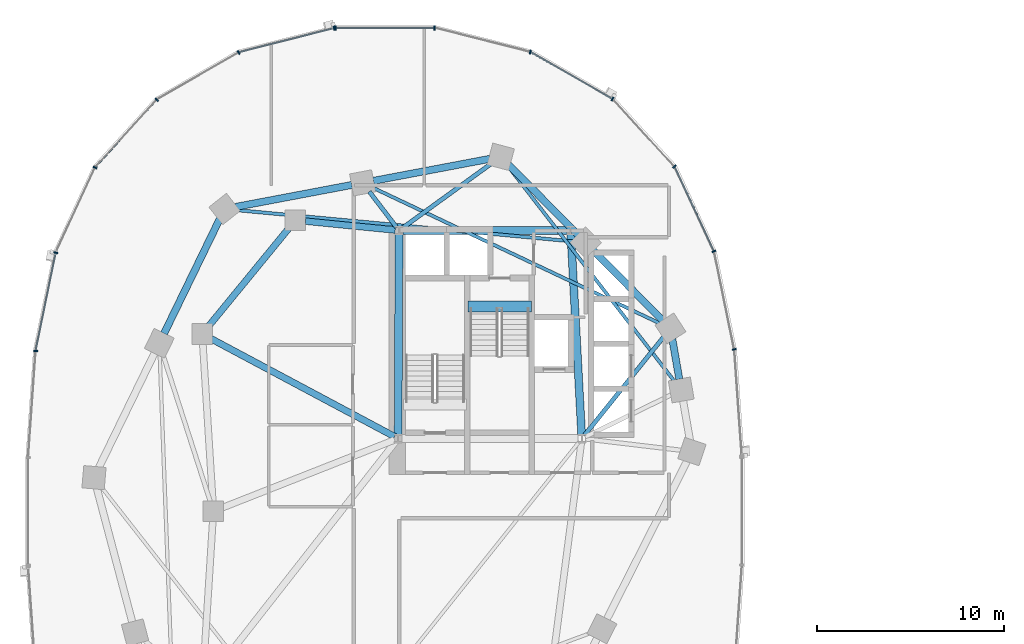
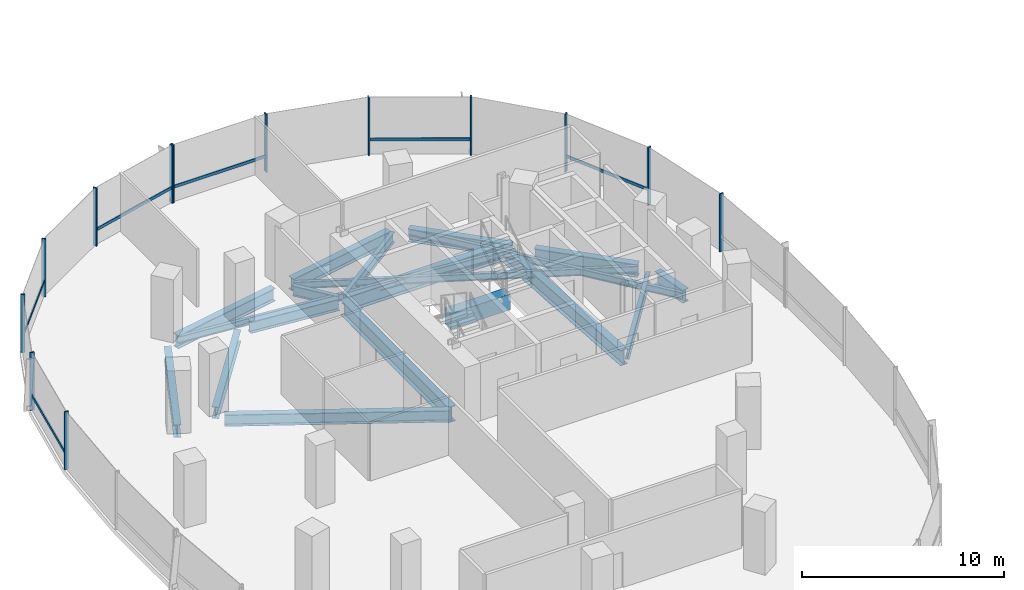
# One storey, part 4 of 21: 19 beams, 19 members, 2 elements without a shape of their own.
"""IFC4 building model written with IfcOpenShell, lengths in metres."""

from ifc_helpers import new_model, si_unit, direction, frame, origin, origin_2d, place, context, subcontext, project, spatial, rectangle, i_section, extrude, material, material_profile, profile_set, type_object, element, aggregate, save


model = new_model("IFC4")

# Units and contexts
model_context = context("Model", 3, precision=1e-05, world=origin(), true_north=direction((0.0, 1.0)))
body_context = subcontext(model_context, "Body", "Model", "MODEL_VIEW")
ifc_project = project(units=[si_unit("LENGTHUNIT", "METRE"), si_unit("AREAUNIT", "SQUARE_METRE"), si_unit("VOLUMEUNIT", "CUBIC_METRE"), si_unit("PLANEANGLEUNIT", "RADIAN"), si_unit("MASSUNIT", "GRAM", prefix="KILO"), si_unit("THERMODYNAMICTEMPERATUREUNIT", "KELVIN"), si_unit("POWERUNIT", "WATT")], contexts=[model_context])

# Site, building, storey
site_placement = place(None, origin())
site = spatial("IfcSite", under=ifc_project, at=site_placement, CompositionType="ELEMENT")
building_placement = place(site_placement, origin())
building = spatial("IfcBuilding", under=site, at=building_placement, Name="Cundina Bronze Exchange", CompositionType="ELEMENT")
storey_placement = place(building_placement, frame((0.0, 0.0, 69.60009765625)))
storey = spatial("IfcBuildingStorey", under=building, at=storey_placement, Name="L17", CompositionType="ELEMENT", Elevation=69.60009765625)

# Beams
ifc_material_1 = material(Name="Concrete C60/75", Category="concrete")
ifc_material_profile_1 = material_profile(ifc_material_1, rectangle(XDim=0.60009765625, YDim=0.949951171875, at=origin_2d()), Name="RC600X950", Category="concrete")
ifc_profile_set_1 = profile_set([ifc_material_profile_1], Name="Concrete C60/75")
beam_type_1 = type_object("IfcBeamType", Name="BM-COUP-RC950", PredefinedType="LINTEL", material=ifc_profile_set_1)
beam_1_placement = place(storey_placement, frame((-27.56005859375, 10.97998046875, -0.47509765625), z_axis=(1.0, 0.0, 0.0), x_axis=(0.0, 1.0, 0.0)))
element("IfcBeam", 1, at=beam_1_placement, inside=storey, type_object=beam_type_1, Name="L17 Stair W2 Landing Header Beam", PredefinedType="LINTEL", context=body_context, shape_type="SweptSolid", body=[
    extrude(rectangle(XDim=0.60009765625, YDim=0.949951171875, at=origin_2d()), origin(), (0.0, 0.0, 1.0), 3.400146484375),
])
ifc_material_2 = material(Name="Steel ASTM A992 Grade 50", Category="steel")
ifc_material_profile_2 = material_profile(ifc_material_2, i_section(OverallWidth=0.22998046875, OverallDepth=0.616943359375, WebThickness=0.01318359375, FlangeThickness=0.022216796875, FilletRadius=0.013916015625, at=origin_2d()), Name="W24X94", Category="steel")
ifc_profile_set_2 = profile_set([ifc_material_profile_2], Name="Steel ASTM A992 Grade 50")
beam_type_2 = type_object("IfcBeamType", Name="BM-FLR-W24B", PredefinedType="BEAM", material=ifc_profile_set_2)
beam_2_placement = place(storey_placement, frame((-21.322021484375, 4.058837890625, -0.608642578125), z_axis=(0.627106366175, 0.778933633568, 0.0), x_axis=(-0.778933633568, 0.627106366175, 0.0)))
element("IfcBeam", 2, at=beam_2_placement, inside=storey, type_object=beam_type_2, Name="L17 Leg W Radial Floor Beam 02", PredefinedType="BEAM", context=body_context, shape_type="SweptSolid", body=[
    extrude(i_section(OverallWidth=0.22998046875, OverallDepth=0.616943359375, WebThickness=0.01318359375, FlangeThickness=0.022216796875, FilletRadius=0.013916015625, at=origin_2d()), origin(), (0.0, 0.0, 1.0), 6.78271484375),
])
beam_3_placement = place(storey_placement, frame((-31.084716796875, 15.169677734375, -0.608642578125), z_axis=(0.809700299677, 0.586843611794, 0.0), x_axis=(-0.586843611794, 0.809700299677, 0.0)))
element("IfcBeam", 3, at=beam_3_placement, inside=storey, type_object=beam_type_2, Name="L17 Leg W Radial Floor Beam 04", PredefinedType="BEAM", context=body_context, shape_type="SweptSolid", body=[
    extrude(i_section(OverallWidth=0.22998046875, OverallDepth=0.616943359375, WebThickness=0.01318359375, FlangeThickness=0.022216796875, FilletRadius=0.013916015625, at=origin_2d()), origin(), (0.0, 0.0, 1.0), 5.938720703125),
])
beam_4_placement = place(storey_placement, frame((-31.373779296875, 15.2119140625, -0.608642578125), z_axis=(-0.607468844289, 0.794343504548, 0.0), x_axis=(-0.794343504548, -0.607468844289, 0.0)))
element("IfcBeam", 4, at=beam_4_placement, inside=storey, type_object=beam_type_2, Name="L17 Leg W Radial Floor Beam 05", PredefinedType="BEAM", context=body_context, shape_type="SweptSolid", body=[
    extrude(i_section(OverallWidth=0.22998046875, OverallDepth=0.616943359375, WebThickness=0.01318359375, FlangeThickness=0.022216796875, FilletRadius=0.013916015625, at=origin_2d()), origin(), (0.0, 0.0, 1.0), 2.418212890625),
])
ifc_material_profile_3 = material_profile(ifc_material_2, i_section(OverallWidth=0.178955078125, OverallDepth=0.409912109375, WebThickness=0.0087890625, FlangeThickness=0.014404296875, FilletRadius=0.010986328125, at=origin_2d()), Name="W16X45", Category="steel")
ifc_profile_set_3 = profile_set([ifc_material_profile_3], Name="Steel ASTM A992 Grade 50")
beam_type_3 = type_object("IfcBeamType", Name="BM-JST-W16", PredefinedType="JOIST", material=ifc_profile_set_3)
beam_5_placement = place(storey_placement, frame((-16.48486328125, 6.965087890625, -0.505126953125), z_axis=(-0.612089386305, 0.790788583108, 0.0), x_axis=(-0.790788583108, -0.612089386305, 0.0)))
element("IfcBeam", 5, at=beam_5_placement, inside=storey, type_object=beam_type_3, Name="L17 Leg W Lobe Floor Joist 01-04", PredefinedType="JOIST", context=body_context, shape_type="SweptSolid", body=[
    extrude(i_section(OverallWidth=0.178955078125, OverallDepth=0.409912109375, WebThickness=0.0087890625, FlangeThickness=0.014404296875, FilletRadius=0.010986328125, at=origin_2d()), origin(), (0.0, 0.0, 1.0), 14.630859375),
])
beam_6_placement = place(storey_placement, frame((-17.231689453125, 10.05126953125, -0.505126953125), z_axis=(-0.904072668297, 0.427378766949, 0.0), x_axis=(-0.427378766949, -0.904072668297, 0.0)))
element("IfcBeam", 6, at=beam_6_placement, inside=storey, type_object=beam_type_3, Name="L17 Leg W Lobe Floor Joist 02-05", PredefinedType="JOIST", context=body_context, shape_type="SweptSolid", body=[
    extrude(i_section(OverallWidth=0.178955078125, OverallDepth=0.409912109375, WebThickness=0.0087890625, FlangeThickness=0.014404296875, FilletRadius=0.010986328125, at=origin_2d()), origin(), (0.0, 0.0, 1.0), 17.07470703125),
])
beam_7_placement = place(storey_placement, frame((-21.83544921875, 14.45458984375, -0.505126953125), z_axis=(-0.995701961644, 0.09261535282, 0.0), x_axis=(-0.09261535282, -0.995701961644, 0.0)))
element("IfcBeam", 7, at=beam_7_placement, inside=storey, type_object=beam_type_3, Name="L17 Leg W Lobe Floor Joist 03-06", PredefinedType="JOIST", context=body_context, shape_type="SweptSolid", body=[
    extrude(i_section(OverallWidth=0.178955078125, OverallDepth=0.409912109375, WebThickness=0.0087890625, FlangeThickness=0.014404296875, FilletRadius=0.010986328125, at=origin_2d()), origin(), (0.0, 0.0, 1.0), 18.25732421875),
])
ifc_material_profile_4 = material_profile(ifc_material_2, i_section(OverallWidth=0.35498046875, OverallDepth=0.695068359375, WebThickness=0.015380859375, FlangeThickness=0.02490234375, FilletRadius=0.01806640625, at=origin_2d()), Name="W27X146", Category="steel")
ifc_profile_set_4 = profile_set([ifc_material_profile_4], Name="Steel ASTM A992 Grade 50")
beam_type_4 = type_object("IfcBeamType", Name="BM-RING-W27", PredefinedType="USERDEFINED", material=ifc_profile_set_4)
beam_8_placement = place(storey_placement, frame((-31.452880859375, 15.070068359375, -0.647705078125), z_axis=(-0.995126271817, 0.098608839051, 0.0), x_axis=(-0.098608839051, -0.995126271817, 0.0)))
element("IfcBeam", 8, at=beam_8_placement, inside=storey, type_object=beam_type_4, Name="L17 W Inner Structural Ring Girder 01", ObjectType="GIRDER", PredefinedType="USERDEFINED", context=body_context, shape_type="SweptSolid", body=[
    extrude(i_section(OverallWidth=0.35498046875, OverallDepth=0.695068359375, WebThickness=0.015380859375, FlangeThickness=0.02490234375, FilletRadius=0.01806640625, at=origin_2d()), origin(), (0.0, 0.0, 1.0), 4.83544921875),
])
beam_9_placement = place(storey_placement, frame((-37.14111328125, 15.183837890625, -0.647705078125), z_axis=(-0.633926549035, -0.773393257295, 0.0), x_axis=(0.773393257295, -0.633926549035, 0.0)))
element("IfcBeam", 9, at=beam_9_placement, inside=storey, type_object=beam_type_4, Name="L17 W Inner Structural Ring Girder 02", ObjectType="GIRDER", PredefinedType="USERDEFINED", context=body_context, shape_type="SweptSolid", body=[
    extrude(i_section(OverallWidth=0.35498046875, OverallDepth=0.695068359375, WebThickness=0.015380859375, FlangeThickness=0.02490234375, FilletRadius=0.01806640625, at=origin_2d()), origin(), (0.0, 0.0, 1.0), 6.811279296875),
])
beam_10_placement = place(storey_placement, frame((-31.47998046875, 3.99609375, -0.647705078125), z_axis=(-0.882354758239, 0.470584828286, 0.0), x_axis=(-0.470584828286, -0.882354758239, 0.0)))
element("IfcBeam", 10, at=beam_10_placement, inside=storey, type_object=beam_type_4, Name="L17 W Core-to-Waist Tie Beam 2", ObjectType="GIRDER", PredefinedType="USERDEFINED", context=body_context, shape_type="SweptSolid", body=[
    extrude(i_section(OverallWidth=0.35498046875, OverallDepth=0.695068359375, WebThickness=0.015380859375, FlangeThickness=0.02490234375, FilletRadius=0.01806640625, at=origin_2d()), origin(), (0.0, 0.0, 1.0), 11.157958984375),
])
ifc_material_profile_5 = material_profile(ifc_material_2, i_section(OverallWidth=0.381103515625, OverallDepth=0.77294921875, WebThickness=0.0166015625, FlangeThickness=0.027099609375, FilletRadius=0.01904296875, at=origin_2d()), Name="W30X173", Category="steel")
ifc_profile_set_5 = profile_set([ifc_material_profile_5], Name="Steel ASTM A992 Grade 50")
beam_type_5 = type_object("IfcBeamType", Name="BM-RING-W30", PredefinedType="USERDEFINED", material=ifc_profile_set_5)
beam_11_placement = place(storey_placement, frame((-16.225830078125, 7.079345703125, -0.6865234375), z_axis=(-0.171734584051, 0.985143254883, 0.0), x_axis=(-0.985143254883, -0.171734584051, 0.0)))
element("IfcBeam", 11, at=beam_11_placement, inside=storey, type_object=beam_type_5, Name="L17 W Perimeter Ring Girder 01", ObjectType="GIRDER", PredefinedType="USERDEFINED", context=body_context, shape_type="SweptSolid", body=[
    extrude(i_section(OverallWidth=0.381103515625, OverallDepth=0.77294921875, WebThickness=0.0166015625, FlangeThickness=0.027099609375, FilletRadius=0.01904296875, at=origin_2d()), origin(), (0.0, 0.0, 1.0), 2.173583984375),
])
for number, where, z_axis, x_axis, name in (
    (12, (-17.113525390625, 10.218017578125, -0.6865234375), (-0.703222428859, 0.710969911845, 0.0), (-0.710969911845, -0.703222428859, 0.0), "L17 W Perimeter Ring Girder 02"),
    (13, (-21.66357421875, 14.818115234375, -0.6865234375), (-0.703222428859, 0.710969911845, 0.0), (-0.710969911845, -0.703222428859, 0.0), "L17 W Perimeter Ring Girder 03"),
):
    element("IfcBeam", number, at=place(storey_placement, frame(where, z_axis=z_axis, x_axis=x_axis)), inside=storey, type_object=beam_type_5, Name=name, ObjectType="GIRDER", PredefinedType="USERDEFINED", context=body_context, shape_type="SweptSolid", body=[
        extrude(i_section(OverallWidth=0.381103515625, OverallDepth=0.77294921875, WebThickness=0.0166015625, FlangeThickness=0.027099609375, FilletRadius=0.01904296875, at=origin_2d()), origin(), (0.0, 0.0, 1.0), 5.2939453125),
    ])
beam_12_placement = place(storey_placement, frame((-26.377685546875, 18.890625, -0.6865234375), z_axis=(-0.982570814598, -0.185888661031, 0.0), x_axis=(0.185888661031, -0.982570814598, 0.0)))
element("IfcBeam", 14, at=beam_12_placement, inside=storey, type_object=beam_type_5, Name="L17 W Perimeter Ring Girder 04", ObjectType="GIRDER", PredefinedType="USERDEFINED", context=body_context, shape_type="SweptSolid", body=[
    extrude(i_section(OverallWidth=0.381103515625, OverallDepth=0.77294921875, WebThickness=0.0166015625, FlangeThickness=0.027099609375, FilletRadius=0.01904296875, at=origin_2d()), origin(), (0.0, 0.0, 1.0), 6.35546875),
])
beam_13_placement = place(storey_placement, frame((-33.77783203125, 17.49072265625, -0.6865234375), z_axis=(-0.982569487119, -0.185895677686, 0.0), x_axis=(0.185895677686, -0.982569487119, 0.0)))
element("IfcBeam", 15, at=beam_13_placement, inside=storey, type_object=beam_type_5, Name="L17 W Perimeter Ring Girder 05", ObjectType="GIRDER", PredefinedType="USERDEFINED", context=body_context, shape_type="SweptSolid", body=[
    extrude(i_section(OverallWidth=0.381103515625, OverallDepth=0.77294921875, WebThickness=0.0166015625, FlangeThickness=0.027099609375, FilletRadius=0.01904296875, at=origin_2d()), origin(), (0.0, 0.0, 1.0), 6.355224609375),
])
beam_14_placement = place(storey_placement, frame((-40.857177734375, 15.671142578125, -0.6865234375), z_axis=(-0.437190698904, -0.899368830231, 0.0), x_axis=(0.899368830231, -0.437190698904, 0.0)))
element("IfcBeam", 16, at=beam_14_placement, inside=storey, type_object=beam_type_5, Name="L17 W Perimeter Ring Girder 06", ObjectType="GIRDER", PredefinedType="USERDEFINED", context=body_context, shape_type="SweptSolid", body=[
    extrude(i_section(OverallWidth=0.381103515625, OverallDepth=0.77294921875, WebThickness=0.0166015625, FlangeThickness=0.027099609375, FilletRadius=0.01904296875, at=origin_2d()), origin(), (0.0, 0.0, 1.0), 6.82958984375),
])
ifc_material_profile_6 = material_profile(ifc_material_2, i_section(OverallWidth=0.41796875, OverallDepth=0.927001953125, WebThickness=0.019287109375, FlangeThickness=0.031982421875, FilletRadius=0.02392578125, at=origin_2d()), Name="W36X231", Category="steel")
ifc_profile_set_6 = profile_set([ifc_material_profile_6], Name="Steel ASTM A992 Grade 50")
beam_type_6 = type_object("IfcBeamType", Name="BM-WRN-W36B", PredefinedType="USERDEFINED", material=ifc_profile_set_6)
beam_15_placement = place(storey_placement, frame((-21.4609375, 4.103759765625, -0.763671875), z_axis=(-0.053739193498, 0.998555005537, 0.0), x_axis=(-0.998555005537, -0.053739193498, 0.0)))
element("IfcBeam", 17, at=beam_15_placement, inside=storey, type_object=beam_type_6, Name="L17 W Core Perimeter Tie Girder 2", ObjectType="GIRDER", PredefinedType="USERDEFINED", context=body_context, shape_type="SweptSolid", body=[
    extrude(i_section(OverallWidth=0.41796875, OverallDepth=0.927001953125, WebThickness=0.019287109375, FlangeThickness=0.031982421875, FilletRadius=0.02392578125, at=origin_2d()), origin(), (0.0, 0.0, 1.0), 10.758056640625),
])
beam_16_placement = place(storey_placement, frame((-22.25390625, 15.050048828125, -0.763671875), z_axis=(-1.0, 0.0, 0.0), x_axis=(0.0, -1.0, 0.0)))
element("IfcBeam", 18, at=beam_16_placement, inside=storey, type_object=beam_type_6, Name="L17 W Core Perimeter Tie Girder 3", ObjectType="GIRDER", PredefinedType="USERDEFINED", context=body_context, shape_type="SweptSolid", body=[
    extrude(i_section(OverallWidth=0.41796875, OverallDepth=0.927001953125, WebThickness=0.019287109375, FlangeThickness=0.031982421875, FilletRadius=0.02392578125, at=origin_2d()), origin(), (0.0, 0.0, 1.0), 8.7919921875),
])
beam_17_placement = place(storey_placement, frame((-31.2509765625, 14.845947265625, -0.763671875), z_axis=(-0.004477329608, -0.99998997671, 0.0), x_axis=(0.99998997671, -0.004477329608, 0.0)))
element("IfcBeam", 19, at=beam_17_placement, inside=storey, type_object=beam_type_6, Name="L17 W Core Perimeter Tie Girder 4", ObjectType="GIRDER", PredefinedType="USERDEFINED", context=body_context, shape_type="SweptSolid", body=[
    extrude(i_section(OverallWidth=0.41796875, OverallDepth=0.927001953125, WebThickness=0.019287109375, FlangeThickness=0.031982421875, FilletRadius=0.02392578125, at=origin_2d()), origin(), (0.0, 0.0, 1.0), 10.741943359375),
])

# Curtain wall, members
ifc_material_3 = material(Name="Anodised Bronze Aluminium 6063-T6", Category="aluminium")
curtain_wall_type = type_object("IfcCurtainWallType", Name="CWS-TRD-LOW", PredefinedType="NOTDEFINED", material=ifc_material_3)
curtain_wall_1_placement = place(storey_placement, origin())
curtain_wall_1 = element("IfcCurtainWall", 20, at=curtain_wall_1_placement, inside=storey, type_object=curtain_wall_type, Name="L17 CW-02 Curtain Wall Run CWR-L17-W1", PredefinedType="NOTDEFINED")
ifc_material_profile_7 = material_profile(ifc_material_3, rectangle(XDim=0.074951171875, YDim=0.219970703125, at=origin_2d()), Name="AL75X220", Category="aluminium")
ifc_profile_set_7 = profile_set([ifc_material_profile_7], Name="Anodised Bronze Aluminium 6063-T6")
member_type_1 = type_object("IfcMemberType", Name="CWM-MUL-220", PredefinedType="MULLION", material=ifc_profile_set_7)
member_1_placement = place(storey_placement, frame((-13.282958984375, 8.67822265625, 0.0), z_axis=(0.0, 0.0, 1.0), x_axis=(-0.201419845156, 0.979505000486, 0.0)))
member_1 = element("IfcMember", 21, at=member_1_placement, type_object=member_type_1, Name="CW-02 Mullion 2", PredefinedType="MULLION", context=body_context, shape_type="SweptSolid", body=[
    extrude(rectangle(XDim=0.074951171875, YDim=0.219970703125, at=origin_2d()), origin(), (0.0, 0.0, 1.0), 3.5),
])
member_2_placement = place(storey_placement, frame((-14.3720703125, 13.931884765625, 0.0), z_axis=(0.0, 0.0, 1.0), x_axis=(-0.42087749791, 0.907117485088, 0.0)))
member_2 = element("IfcMember", 22, at=member_2_placement, type_object=member_type_1, Name="CW-02 Mullion 3", PredefinedType="MULLION", context=body_context, shape_type="SweptSolid", body=[
    extrude(rectangle(XDim=0.074951171875, YDim=0.219970703125, at=origin_2d()), origin(), (0.0, 0.0, 1.0), 3.5),
])
member_3_placement = place(storey_placement, frame((-16.491455078125, 18.47705078125, 0.0), z_axis=(0.0, 0.0, 1.0), x_axis=(-0.674302387584, 0.738455340626, 0.0)))
member_3 = element("IfcMember", 23, at=member_3_placement, type_object=member_type_1, Name="CW-02 Mullion 4", PredefinedType="MULLION", context=body_context, shape_type="SweptSolid", body=[
    extrude(rectangle(XDim=0.074951171875, YDim=0.219970703125, at=origin_2d()), origin(), (0.0, 0.0, 1.0), 3.5),
])
member_4_placement = place(storey_placement, frame((-19.810302734375, 22.097412109375, 0.0), z_axis=(0.0, 0.0, 1.0), x_axis=(-0.867070701164, 0.498185105339, 0.0)))
member_4 = element("IfcMember", 24, at=member_4_placement, type_object=member_type_1, Name="CW-02 Mullion 5", PredefinedType="MULLION", context=body_context, shape_type="SweptSolid", body=[
    extrude(rectangle(XDim=0.074951171875, YDim=0.219970703125, at=origin_2d()), origin(), (0.0, 0.0, 1.0), 3.5),
])
member_5_placement = place(storey_placement, frame((-24.21484375, 24.61669921875, 0.0), z_axis=(0.0, 0.0, 1.0), x_axis=(-0.969488149345, 0.245138182011, 0.0)))
member_5 = element("IfcMember", 25, at=member_5_placement, type_object=member_type_1, Name="CW-02 Mullion 6", PredefinedType="MULLION", context=body_context, shape_type="SweptSolid", body=[
    extrude(rectangle(XDim=0.074951171875, YDim=0.219970703125, at=origin_2d()), origin(), (0.0, 0.0, 1.0), 3.5),
])
member_6_placement = place(storey_placement, frame((-29.345458984375, 25.905029296875, 0.0), z_axis=(0.0, 0.0, 1.0), x_axis=(-1.0, 0.0, 0.0)))
member_6 = element("IfcMember", 26, at=member_6_placement, type_object=member_type_1, Name="CW-02 Mullion 7", PredefinedType="MULLION", context=body_context, shape_type="SweptSolid", body=[
    extrude(rectangle(XDim=0.074951171875, YDim=0.219970703125, at=origin_2d()), origin(), (0.0, 0.0, 1.0), 3.5),
])
member_7_placement = place(storey_placement, frame((-34.654541015625, 25.905029296875, 0.0), z_axis=(0.0, 0.0, 1.0), x_axis=(-1.0, 0.0, 0.0)))
member_7 = element("IfcMember", 27, at=member_7_placement, type_object=member_type_1, Name="CW-02 End Mullion", PredefinedType="MULLION", context=body_context, shape_type="SweptSolid", body=[
    extrude(rectangle(XDim=0.074951171875, YDim=0.219970703125, at=origin_2d()), origin(), (0.0, 0.0, 1.0), 3.5),
])

curtain_wall_2_placement = place(storey_placement, origin())
curtain_wall_2 = element("IfcCurtainWall", 28, at=curtain_wall_2_placement, inside=storey, type_object=curtain_wall_type, Name="L17 CW-02 Curtain Wall Run CWR-L17-W2", PredefinedType="NOTDEFINED")
member_8_placement = place(storey_placement, frame((-34.72607421875, 25.89599609375, 0.0), z_axis=(0.0, 0.0, 1.0), x_axis=(-0.969488149345, -0.245138182011, 0.0)))
member_8 = element("IfcMember", 29, at=member_8_placement, type_object=member_type_1, Name="CW-02 Mullion 1", PredefinedType="MULLION", context=body_context, shape_type="SweptSolid", body=[
    extrude(rectangle(XDim=0.074951171875, YDim=0.219970703125, at=origin_2d()), origin(), (0.0, 0.0, 1.0), 3.5),
])
member_9_placement = place(storey_placement, frame((-39.848876953125, 24.591064453125, 0.0), z_axis=(0.0, 0.0, 1.0), x_axis=(-0.867070701164, -0.498185105339, 0.0)))
member_9 = element("IfcMember", 30, at=member_9_placement, type_object=member_type_1, Name="CW-02 Mullion 2", PredefinedType="MULLION", context=body_context, shape_type="SweptSolid", body=[
    extrude(rectangle(XDim=0.074951171875, YDim=0.219970703125, at=origin_2d()), origin(), (0.0, 0.0, 1.0), 3.5),
])
member_10_placement = place(storey_placement, frame((-44.239501953125, 22.0576171875, 0.0), z_axis=(0.0, 0.0, 1.0), x_axis=(-0.674302387584, -0.738455340626, 0.0)))
member_10 = element("IfcMember", 31, at=member_10_placement, type_object=member_type_1, Name="CW-02 Mullion 3", PredefinedType="MULLION", context=body_context, shape_type="SweptSolid", body=[
    extrude(rectangle(XDim=0.074951171875, YDim=0.219970703125, at=origin_2d()), origin(), (0.0, 0.0, 1.0), 3.5),
])
member_11_placement = place(storey_placement, frame((-47.544189453125, 18.423583984375, 0.0), z_axis=(0.0, 0.0, 1.0), x_axis=(-0.42087749791, -0.907117485088, 0.0)))
member_11 = element("IfcMember", 32, at=member_11_placement, type_object=member_type_1, Name="CW-02 Mullion 4", PredefinedType="MULLION", context=body_context, shape_type="SweptSolid", body=[
    extrude(rectangle(XDim=0.074951171875, YDim=0.219970703125, at=origin_2d()), origin(), (0.0, 0.0, 1.0), 3.5),
])
member_12_placement = place(storey_placement, frame((-49.651123046875, 13.861328125, 0.0), z_axis=(0.0, 0.0, 1.0), x_axis=(-0.201419845156, -0.979505000486, 0.0)))
member_12 = element("IfcMember", 33, at=member_12_placement, type_object=member_type_1, Name="CW-02 Mullion 5", PredefinedType="MULLION", context=body_context, shape_type="SweptSolid", body=[
    extrude(rectangle(XDim=0.074951171875, YDim=0.219970703125, at=origin_2d()), origin(), (0.0, 0.0, 1.0), 3.5),
])
member_13_placement = place(storey_placement, frame((-50.72900390625, 8.591552734375, 0.0), z_axis=(0.0, 0.0, 1.0), x_axis=(-0.070278787473, -0.997527389113, 0.0)))
member_13 = element("IfcMember", 34, at=member_13_placement, type_object=member_type_1, Name="CW-02 Mullion 6", PredefinedType="MULLION", context=body_context, shape_type="SweptSolid", body=[
    extrude(rectangle(XDim=0.074951171875, YDim=0.219970703125, at=origin_2d()), origin(), (0.0, 0.0, 1.0), 3.5),
])

# Member
ifc_material_profile_8 = material_profile(ifc_material_3, rectangle(XDim=0.070068359375, YDim=0.179931640625, at=origin_2d()), Name="AL70X180", Category="aluminium")
ifc_profile_set_8 = profile_set([ifc_material_profile_8], Name="Anodised Bronze Aluminium 6063-T6")
member_type_2 = type_object("IfcMemberType", Name="CWM-TRN-180", PredefinedType="USERDEFINED", material=ifc_profile_set_8)
member_14_placement = place(storey_placement, frame((-14.389404296875, 13.96923828125, 0.919921875), z_axis=(-0.420811422796, 0.907148139195, 0.0), x_axis=(-0.907148139195, -0.420811422796, 0.0)))
member_14 = element("IfcMember", 35, at=member_14_placement, type_object=member_type_2, Name="CW-02 Spandrel Transom 3", ObjectType="TRANSOM", PredefinedType="USERDEFINED", context=body_context, shape_type="SweptSolid", body=[
    extrude(rectangle(XDim=0.070068359375, YDim=0.179931640625, at=origin_2d()), origin(), (0.0, 0.0, 1.0), 4.95166015625),
])

member_15_placement = place(storey_placement, frame((-19.845947265625, 22.117919921875, 0.919921875), z_axis=(-0.867097475651, 0.498138502546, 0.0), x_axis=(-0.498138502546, -0.867097475651, 0.0)))
member_15 = element("IfcMember", 36, at=member_15_placement, type_object=member_type_2, Name="CW-02 Spandrel Transom 5", ObjectType="TRANSOM", PredefinedType="USERDEFINED", context=body_context, shape_type="SweptSolid", body=[
    extrude(rectangle(XDim=0.070068359375, YDim=0.179931640625, at=origin_2d()), origin(), (0.0, 0.0, 1.0), 5.00634765625),
])

member_16_placement = place(storey_placement, frame((-29.38671875, 25.905029296875, 0.919921875), z_axis=(-1.0, 0.0, 0.0), x_axis=(0.0, -1.0, 0.0)))
member_16 = element("IfcMember", 37, at=member_16_placement, type_object=member_type_2, Name="CW-02 Spandrel Transom 7", ObjectType="TRANSOM", PredefinedType="USERDEFINED", context=body_context, shape_type="SweptSolid", body=[
    extrude(rectangle(XDim=0.070068359375, YDim=0.179931640625, at=origin_2d()), origin(), (0.0, 0.0, 1.0), 5.2265625),
])

aggregate(curtain_wall_1, [member_1, member_2, member_14, member_3, member_4, member_15, member_5, member_6, member_7, member_16])

member_17_placement = place(storey_placement, frame((-34.76611328125, 25.885986328125, 0.919921875), z_axis=(-0.969483968866, -0.245154714644, 0.0), x_axis=(0.245154714644, -0.969483968866, 0.0)))
member_17 = element("IfcMember", 38, at=member_17_placement, type_object=member_type_2, Name="CW-02 Spandrel Transom 1", ObjectType="TRANSOM", PredefinedType="USERDEFINED", context=body_context, shape_type="SweptSolid", body=[
    extrude(rectangle(XDim=0.070068359375, YDim=0.179931640625, at=origin_2d()), origin(), (0.0, 0.0, 1.0), 5.21826171875),
])

member_18_placement = place(storey_placement, frame((-44.26708984375, 22.027099609375, 0.919921875), z_axis=(-0.674302794847, -0.738454968743, 0.0), x_axis=(0.738454968743, -0.674302794847, 0.0)))
member_18 = element("IfcMember", 39, at=member_18_placement, type_object=member_type_2, Name="CW-02 Spandrel Transom 3", ObjectType="TRANSOM", PredefinedType="USERDEFINED", context=body_context, shape_type="SweptSolid", body=[
    extrude(rectangle(XDim=0.070068359375, YDim=0.179931640625, at=origin_2d()), origin(), (0.0, 0.0, 1.0), 4.848388671875),
])

member_19_placement = place(storey_placement, frame((-49.659423828125, 13.821044921875, 0.919921875), z_axis=(-0.201427712708, -0.979503382615, 0.0), x_axis=(0.979503382615, -0.201427712708, 0.0)))
member_19 = element("IfcMember", 40, at=member_19_placement, type_object=member_type_2, Name="CW-02 Spandrel Transom 5", ObjectType="TRANSOM", PredefinedType="USERDEFINED", context=body_context, shape_type="SweptSolid", body=[
    extrude(rectangle(XDim=0.070068359375, YDim=0.179931640625, at=origin_2d()), origin(), (0.0, 0.0, 1.0), 5.291748046875),
])

aggregate(curtain_wall_2, [member_8, member_17, member_9, member_10, member_18, member_11, member_12, member_19, member_13])

save(model, "model.ifc")
